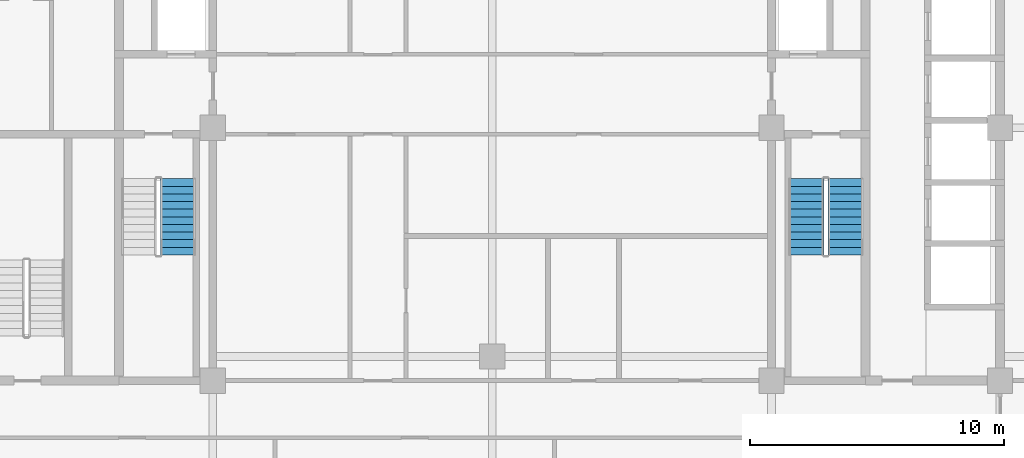
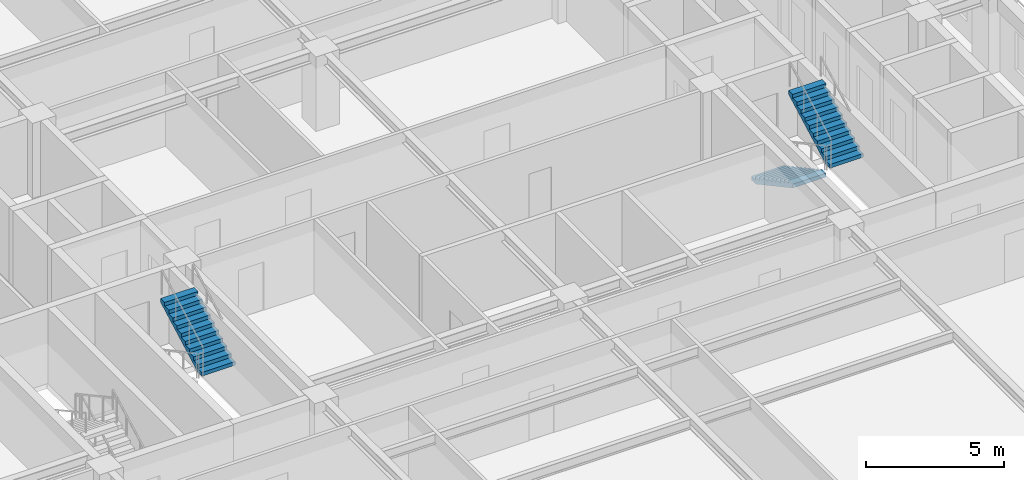
# One storey, part 7 of 15: 3 stair flights, 2 elements without a shape of their own.
"""IFC4 building model written with IfcOpenShell, lengths in metres."""

from ifc_helpers import new_model, si_unit, direction, frame, origin, place, context, subcontext, project, spatial, polyline, outline, extrude, material, layer, layer_set, type_object, element, aggregate, save


model = new_model("IFC4")

# Units and contexts
model_context = context("Model", 3, precision=1e-05, world=origin(), true_north=direction((0.0, 1.0)))
body_context = subcontext(model_context, "Body", "Model", "MODEL_VIEW")
ifc_project = project(units=[si_unit("LENGTHUNIT", "METRE"), si_unit("AREAUNIT", "SQUARE_METRE"), si_unit("VOLUMEUNIT", "CUBIC_METRE"), si_unit("PLANEANGLEUNIT", "RADIAN"), si_unit("MASSUNIT", "GRAM", prefix="KILO")], contexts=[model_context])

# Site, building, storey
site_placement = place(None, origin())
site = spatial("IfcSite", under=ifc_project, at=site_placement, CompositionType="ELEMENT")
building_placement = place(site_placement, origin())
building = spatial("IfcBuilding", under=site, at=building_placement, Name="Zulmaris Gate Convention Tower", CompositionType="ELEMENT")
storey_placement = place(building_placement, frame((0.0, 0.0, 128.48974609375)))
storey = spatial("IfcBuildingStorey", under=building, at=storey_placement, Name="L32", CompositionType="ELEMENT", Elevation=128.48974609375)

# Stair, stair flight
ifc_material = material(Name="Concrete C45/55", Category="concrete")
stair_type = type_object("IfcStairType", Name="ST-CORE-DOGLEG", PredefinedType="HALF_TURN_STAIR", material=ifc_material)
stair_1_placement = place(storey_placement, origin())
stair_1 = element("IfcStair", 1, at=stair_1_placement, inside=storey, type_object=stair_type, Name="L32 Core Exit Stair ST-1", PredefinedType="HALF_TURN_STAIR")
ifc_layer = layer(ifc_material, 0.14990234375, Name="Concrete C45/55")
ifc_layer_set = layer_set([ifc_layer], Name="Concrete C45/55")
stair_flight_type = type_object("IfcStairFlightType", Name="STF-RC150", PredefinedType="STRAIGHT", material=ifc_layer_set)
stair_flight_1_placement = place(storey_placement, frame((-12.360107421875, -5.0, 1.784912109375), z_axis=(0.0, 0.0, 1.0), x_axis=(0.0, 1.0, 0.0)))
stair_flight_1 = element("IfcStairFlight", 2, at=stair_flight_1_placement, type_object=stair_flight_type, Name="ST-1 flight 2", NumberOfRisers=11, NumberOfTreads=10, PredefinedType="STRAIGHT", RiserHeight=0.162277273, TreadLength=0.3, context=body_context, shape_type="SweptSolid", body=[
    extrude(outline(polyline([(0.0, 0.0), (0.0, 0.162353515625), (0.300048828125, 0.162353515625), (0.300048828125, 0.324462890625), (0.60009765625, 0.324462890625), (0.60009765625, 0.48681640625), (0.89990234375, 0.48681640625), (0.89990234375, 0.649169921875), (1.199951171875, 0.649169921875), (1.199951171875, 0.811279296875), (1.5, 0.811279296875), (1.5, 0.9736328125), (1.800048828125, 0.9736328125), (1.800048828125, 1.135986328125), (2.10009765625, 1.135986328125), (2.10009765625, 1.29833984375), (2.39990234375, 1.29833984375), (2.39990234375, 1.46044921875), (2.699951171875, 1.46044921875), (2.699951171875, 1.622802734375), (3.0, 1.622802734375), (3.0, 1.78515625), (3.0, 1.452392578125), (0.315185546875, 0.0), (0.0, 0.0)])), frame((0.0, 0.699951171875, 0.0), z_axis=(0.0, -1.0, 0.0), x_axis=(1.0, 0.0, 0.0)), (0.0, 0.0, 1.0), 1.39990234375),
])
aggregate(stair_1, [stair_flight_1])

# Stair, stair flights
stair_2_placement = place(storey_placement, origin())
stair_2 = element("IfcStair", 3, at=stair_2_placement, inside=storey, type_object=stair_type, Name="L32 Core Exit Stair ST-2", PredefinedType="HALF_TURN_STAIR")
stair_flight_2_placement = place(storey_placement, frame((12.360107421875, -2.0, 0.0), z_axis=(0.0, 0.0, 1.0), x_axis=(0.0, -1.0, 0.0)))
stair_flight_2 = element("IfcStairFlight", 4, at=stair_flight_2_placement, type_object=stair_flight_type, Name="ST-2 flight 1", NumberOfRisers=11, NumberOfTreads=10, PredefinedType="STRAIGHT", RiserHeight=0.162277273, TreadLength=0.3, context=body_context, shape_type="SweptSolid", body=[
    extrude(outline(polyline([(0.0, 0.0), (0.0, 0.162353515625), (0.300048828125, 0.162353515625), (0.300048828125, 0.324462890625), (0.60009765625, 0.324462890625), (0.60009765625, 0.48681640625), (0.89990234375, 0.48681640625), (0.89990234375, 0.649169921875), (1.199951171875, 0.649169921875), (1.199951171875, 0.811279296875), (1.5, 0.811279296875), (1.5, 0.9736328125), (1.800048828125, 0.9736328125), (1.800048828125, 1.135986328125), (2.10009765625, 1.135986328125), (2.10009765625, 1.29833984375), (2.39990234375, 1.29833984375), (2.39990234375, 1.46044921875), (2.699951171875, 1.46044921875), (2.699951171875, 1.622802734375), (3.0, 1.622802734375), (3.0, 1.78515625), (3.0, 1.452392578125), (0.315185546875, 0.0), (0.0, 0.0)])), frame((0.0, 0.699951171875, 0.0), z_axis=(0.0, -1.0, 0.0), x_axis=(1.0, 0.0, 0.0)), (0.0, 0.0, 1.0), 1.39990234375),
])
stair_flight_3_placement = place(storey_placement, frame((13.919921875, -5.0, 1.784912109375), z_axis=(0.0, 0.0, 1.0), x_axis=(0.0, 1.0, 0.0)))
stair_flight_3 = element("IfcStairFlight", 5, at=stair_flight_3_placement, type_object=stair_flight_type, Name="ST-2 flight 2", NumberOfRisers=11, NumberOfTreads=10, PredefinedType="STRAIGHT", RiserHeight=0.162277273, TreadLength=0.3, context=body_context, shape_type="SweptSolid", body=[
    extrude(outline(polyline([(0.0, 0.0), (0.0, 0.162353515625), (0.300048828125, 0.162353515625), (0.300048828125, 0.324462890625), (0.60009765625, 0.324462890625), (0.60009765625, 0.48681640625), (0.89990234375, 0.48681640625), (0.89990234375, 0.649169921875), (1.199951171875, 0.649169921875), (1.199951171875, 0.811279296875), (1.5, 0.811279296875), (1.5, 0.9736328125), (1.800048828125, 0.9736328125), (1.800048828125, 1.135986328125), (2.10009765625, 1.135986328125), (2.10009765625, 1.29833984375), (2.39990234375, 1.29833984375), (2.39990234375, 1.46044921875), (2.699951171875, 1.46044921875), (2.699951171875, 1.622802734375), (3.0, 1.622802734375), (3.0, 1.78515625), (3.0, 1.452392578125), (0.315185546875, 0.0), (0.0, 0.0)])), frame((0.0, 0.699951171875, 0.0), z_axis=(0.0, -1.0, 0.0), x_axis=(1.0, 0.0, 0.0)), (0.0, 0.0, 1.0), 1.39990234375),
])
aggregate(stair_2, [stair_flight_2, stair_flight_3])

save(model, "model.ifc")
